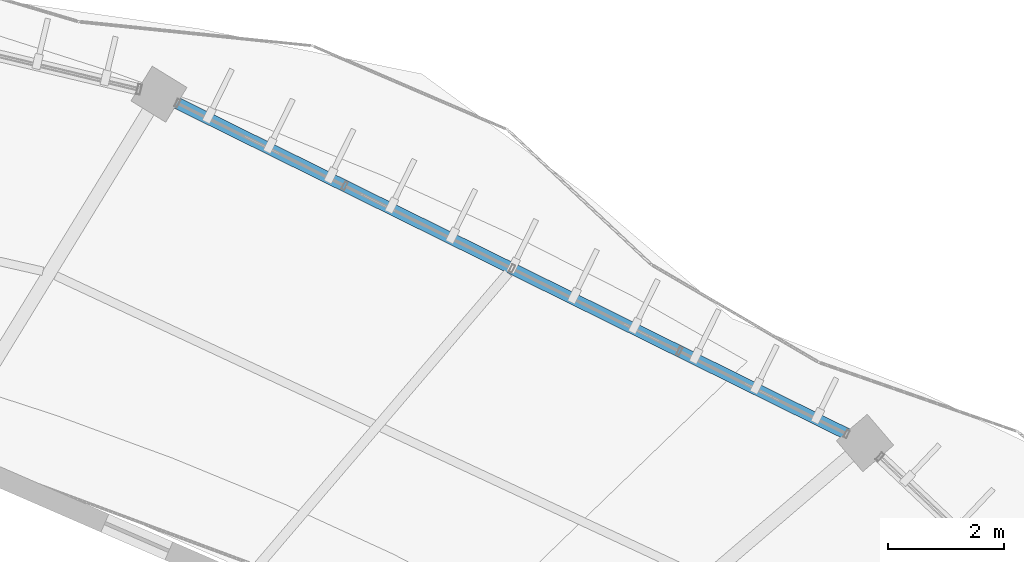
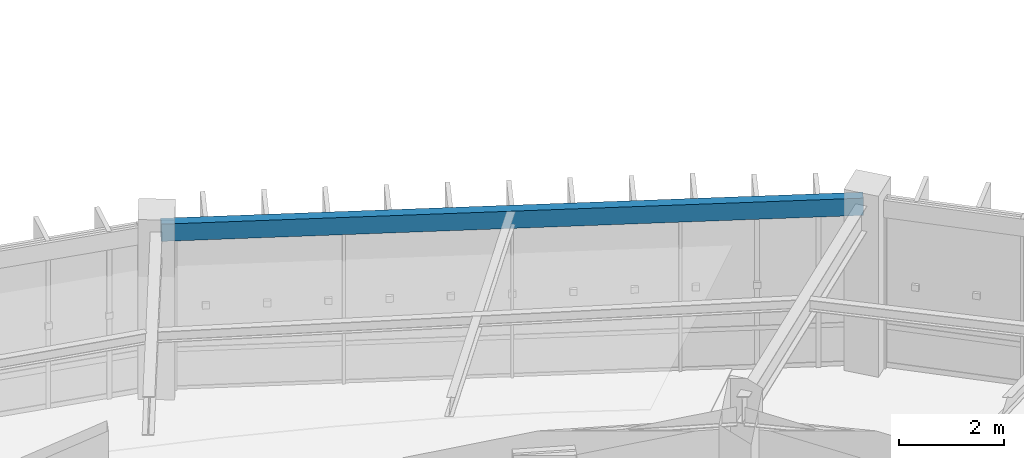
# One storey, part 75 of 138: 1 beam.
"""IFC4 building model written with IfcOpenShell, lengths in metres."""

from ifc_helpers import new_model, si_unit, direction, frame, origin, origin_2d, place, context, subcontext, project, spatial, hollow_rectangle, extrude, material, material_profile, profile_set, type_object, element, save


model = new_model("IFC4")

# Units and contexts
model_context = context("Model", 3, precision=1e-05, world=origin(), true_north=direction((0.0, 1.0)))
body_context = subcontext(model_context, "Body", "Model", "MODEL_VIEW")
ifc_project = project(units=[si_unit("LENGTHUNIT", "METRE"), si_unit("AREAUNIT", "SQUARE_METRE"), si_unit("VOLUMEUNIT", "CUBIC_METRE"), si_unit("PLANEANGLEUNIT", "RADIAN"), si_unit("MASSUNIT", "GRAM", prefix="KILO"), si_unit("THERMODYNAMICTEMPERATUREUNIT", "KELVIN"), si_unit("POWERUNIT", "WATT")], contexts=[model_context])

# Site, building, storey
site_placement = place(None, origin())
site = spatial("IfcSite", under=ifc_project, at=site_placement, CompositionType="ELEMENT")
building_placement = place(site_placement, origin())
building = spatial("IfcBuilding", under=site, at=building_placement, Name="Darbajah Civic Hall", CompositionType="ELEMENT")
storey_placement = place(building_placement, frame((0.0, 0.0, 9.60009765625)))
storey = spatial("IfcBuildingStorey", under=building, at=storey_placement, Name="L02", CompositionType="ELEMENT", Elevation=9.60009765625)

# Beam
ifc_material = material(Name="Steel S355JR", Category="steel")
ifc_material_profile = material_profile(ifc_material, hollow_rectangle(XDim=0.199951171875, YDim=0.39990234375, WallThickness=0.013916015625, at=origin_2d()), Name="RHS 400x200x14")
ifc_profile_set = profile_set([ifc_material_profile], Name="Steel S355JR")
beam_type = type_object("IfcBeamType", Name="RHS 400x200x14", PredefinedType="SPANDREL", material=ifc_profile_set)
beam_placement = place(storey_placement, frame((127.80908203125, 108.994140625, 3.719970703125), z_axis=(-0.896560149568, 0.442922000139, 0.0), x_axis=(-0.442922000139, -0.896560149568, 0.0)))
element("IfcBeam", 1, at=beam_placement, inside=storey, type_object=beam_type, Name="L02 beam SP-RHS400", PredefinedType="SPANDREL", context=body_context, shape_type="SweptSolid", body=[
    extrude(hollow_rectangle(XDim=0.199951171875, YDim=0.39990234375, WallThickness=0.013916015625, at=origin_2d()), origin(), (0.0, 0.0, 1.0), 13.373291015625),
])

save(model, "model.ifc")
